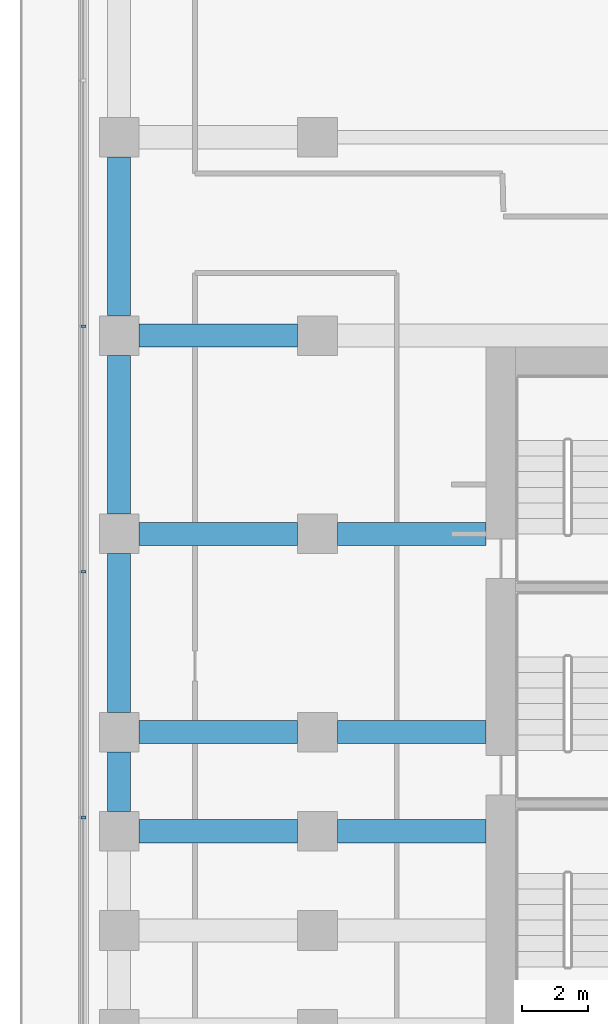
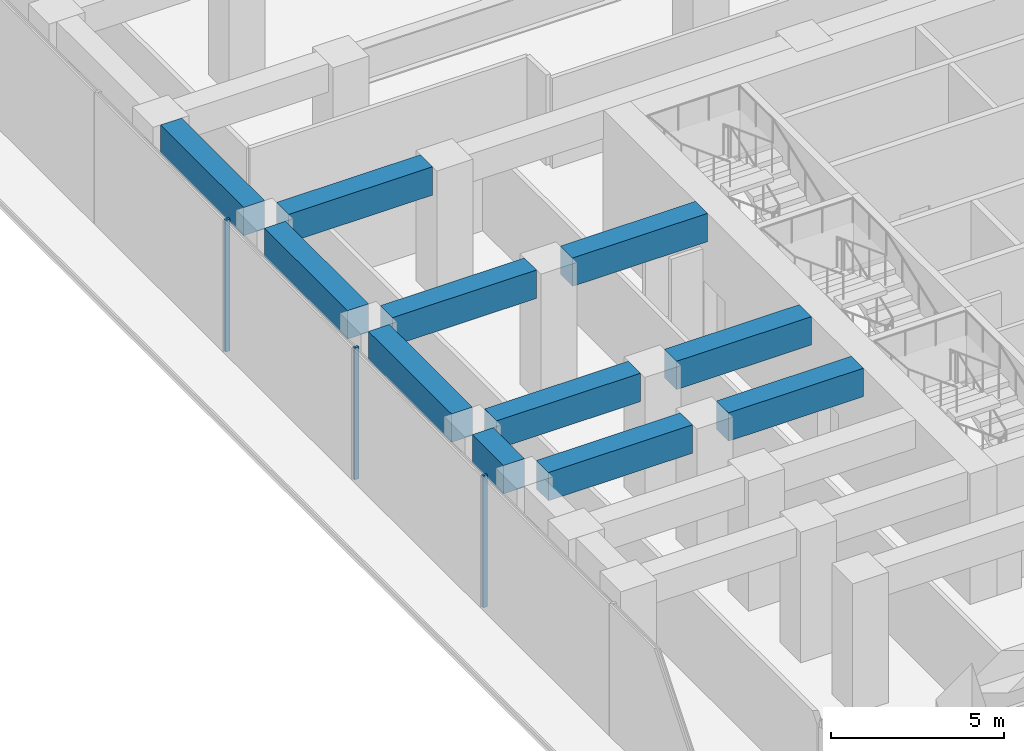
# One storey, part 7 of 40: 11 beams, 3 members, 1 element without a shape of its own.
"""IFC4 building model written with IfcOpenShell, lengths in metres."""

from ifc_helpers import new_model, si_unit, direction, frame, origin, origin_2d, place, context, subcontext, project, spatial, rectangle, extrude, material, layer, layer_set, material_profile, profile_set, type_object, element, aggregate, save


model = new_model("IFC4")

# Units and contexts
model_context = context("Model", 3, precision=1e-05, world=origin(), true_north=direction((0.0, 1.0)))
body_context = subcontext(model_context, "Body", "Model", "MODEL_VIEW")
ifc_project = project(units=[si_unit("LENGTHUNIT", "METRE"), si_unit("AREAUNIT", "SQUARE_METRE"), si_unit("VOLUMEUNIT", "CUBIC_METRE"), si_unit("PLANEANGLEUNIT", "RADIAN"), si_unit("MASSUNIT", "GRAM", prefix="KILO")], contexts=[model_context])

# Site, building, storey
site_placement = place(None, origin())
site = spatial("IfcSite", under=ifc_project, at=site_placement, CompositionType="ELEMENT")
building_placement = place(site_placement, origin())
building = spatial("IfcBuilding", under=site, at=building_placement, Name="Welwitschia Terrace Campus", CompositionType="ELEMENT")
storey_placement = place(building_placement, frame((0.0, 0.0, 6.0)))
storey = spatial("IfcBuildingStorey", under=building, at=storey_placement, Name="L01", CompositionType="ELEMENT", Elevation=6.0)

# Beams
ifc_material_1 = material(Name="Concrete C60/75", Category="concrete")
ifc_material_profile_1 = material_profile(ifc_material_1, rectangle(XDim=0.699951171875, YDim=1.0, at=origin_2d()))
ifc_profile_set_1 = profile_set([ifc_material_profile_1], Name="Concrete C60/75")
beam_type = type_object("IfcBeamType", Name="Base block beam 700x1000", PredefinedType="BEAM", material=ifc_profile_set_1)
beam_1_placement = place(storey_placement, frame((-5.3994140625, 11.0, 4.10009765625), z_axis=(1.0, 0.0, 0.0), x_axis=(0.0, 1.0, 0.0)))
element("IfcBeam", 1, at=beam_1_placement, inside=storey, type_object=beam_type, Name="Beam BB1", PredefinedType="BEAM", context=body_context, shape_type="SweptSolid", body=[
    extrude(rectangle(XDim=0.699951171875, YDim=1.0, at=origin_2d()), origin(), (0.0, 0.0, 1.0), 4.798828125),
])
beam_2_placement = place(storey_placement, frame((0.6005859375, 11.0, 4.10009765625), z_axis=(1.0, 0.0, 0.0), x_axis=(0.0, 1.0, 0.0)))
element("IfcBeam", 2, at=beam_2_placement, inside=storey, type_object=beam_type, Name="Beam BB1", PredefinedType="BEAM", context=body_context, shape_type="SweptSolid", body=[
    extrude(rectangle(XDim=0.699951171875, YDim=1.0, at=origin_2d()), origin(), (0.0, 0.0, 1.0), 4.49951171875),
])
beam_3_placement = place(storey_placement, frame((-5.3994140625, 14.0, 4.10009765625), z_axis=(1.0, 0.0, 0.0), x_axis=(0.0, 1.0, 0.0)))
element("IfcBeam", 3, at=beam_3_placement, inside=storey, type_object=beam_type, Name="Beam BB1", PredefinedType="BEAM", context=body_context, shape_type="SweptSolid", body=[
    extrude(rectangle(XDim=0.699951171875, YDim=1.0, at=origin_2d()), origin(), (0.0, 0.0, 1.0), 4.798828125),
])
beam_4_placement = place(storey_placement, frame((0.6005859375, 14.0, 4.10009765625), z_axis=(1.0, 0.0, 0.0), x_axis=(0.0, 1.0, 0.0)))
element("IfcBeam", 4, at=beam_4_placement, inside=storey, type_object=beam_type, Name="Beam BB1", PredefinedType="BEAM", context=body_context, shape_type="SweptSolid", body=[
    extrude(rectangle(XDim=0.699951171875, YDim=1.0, at=origin_2d()), origin(), (0.0, 0.0, 1.0), 4.49951171875),
])
beam_5_placement = place(storey_placement, frame((-5.3994140625, 20.0, 4.10009765625), z_axis=(1.0, 0.0, 0.0), x_axis=(0.0, 1.0, 0.0)))
element("IfcBeam", 5, at=beam_5_placement, inside=storey, type_object=beam_type, Name="Beam BB1", PredefinedType="BEAM", context=body_context, shape_type="SweptSolid", body=[
    extrude(rectangle(XDim=0.699951171875, YDim=1.0, at=origin_2d()), origin(), (0.0, 0.0, 1.0), 4.798828125),
])
beam_6_placement = place(storey_placement, frame((0.6005859375, 20.0, 4.10009765625), z_axis=(1.0, 0.0, 0.0), x_axis=(0.0, 1.0, 0.0)))
element("IfcBeam", 6, at=beam_6_placement, inside=storey, type_object=beam_type, Name="Beam BB1", PredefinedType="BEAM", context=body_context, shape_type="SweptSolid", body=[
    extrude(rectangle(XDim=0.699951171875, YDim=1.0, at=origin_2d()), origin(), (0.0, 0.0, 1.0), 4.49951171875),
])
beam_7_placement = place(storey_placement, frame((-5.3994140625, 26.0, 4.10009765625), z_axis=(1.0, 0.0, 0.0), x_axis=(0.0, 1.0, 0.0)))
element("IfcBeam", 7, at=beam_7_placement, inside=storey, type_object=beam_type, Name="Beam BB1", PredefinedType="BEAM", context=body_context, shape_type="SweptSolid", body=[
    extrude(rectangle(XDim=0.699951171875, YDim=1.0, at=origin_2d()), origin(), (0.0, 0.0, 1.0), 4.798828125),
])
beam_8_placement = place(storey_placement, frame((-6.0, 11.6005859375, 4.10009765625), z_axis=(0.0, 1.0, 0.0), x_axis=(-1.0, 0.0, 0.0)))
element("IfcBeam", 8, at=beam_8_placement, inside=storey, type_object=beam_type, Name="Beam BB1", PredefinedType="BEAM", context=body_context, shape_type="SweptSolid", body=[
    extrude(rectangle(XDim=0.699951171875, YDim=1.0, at=origin_2d()), origin(), (0.0, 0.0, 1.0), 1.798828125),
])
for number, where, z_axis, x_axis, name in (
    (9, (-6.0, 14.6005859375, 4.10009765625), (0.0, 1.0, 0.0), (-1.0, 0.0, 0.0), "Beam BB1"),
    (10, (-6.0, 20.6005859375, 4.10009765625), (0.0, 1.0, 0.0), (-1.0, 0.0, 0.0), "Beam BB1"),
    (11, (-6.0, 26.6005859375, 4.10009765625), (0.0, 1.0, 0.0), (-1.0, 0.0, 0.0), "Beam BB1"),
):
    element("IfcBeam", number, at=place(storey_placement, frame(where, z_axis=z_axis, x_axis=x_axis)), inside=storey, type_object=beam_type, Name=name, PredefinedType="BEAM", context=body_context, shape_type="SweptSolid", body=[
        extrude(rectangle(XDim=0.699951171875, YDim=1.0, at=origin_2d()), origin(), (0.0, 0.0, 1.0), 4.798828125),
    ])

# Curtain wall, members
ifc_material_2 = material(Name="Bronze anodised aluminium", Category="aluminium")
ifc_layer = layer(ifc_material_2, 0.14990234375)
ifc_layer_set = layer_set([ifc_layer], Name="Bronze anodised aluminium")
curtain_wall_type = type_object("IfcCurtainWallType", Name="Curtain wall CW1 podium 7500", PredefinedType="NOTDEFINED", material=ifc_layer_set)
curtain_wall_placement = place(storey_placement, origin())
curtain_wall = element("IfcCurtainWall", 12, at=curtain_wall_placement, inside=storey, type_object=curtain_wall_type, Name="CW L01.6.0", PredefinedType="NOTDEFINED")
ifc_material_3 = material(Name="Bronze anodised aluminium", Category="aluminium")
ifc_material_profile_2 = material_profile(ifc_material_3, rectangle(XDim=0.14990234375, YDim=0.080078125, at=origin_2d()))
ifc_profile_set_2 = profile_set([ifc_material_profile_2], Name="Bronze anodised aluminium")
member_type = type_object("IfcMemberType", Name="Mullion 80x150", PredefinedType="MULLION", material=ifc_profile_set_2)
member_1_placement = place(storey_placement, frame((-7.0849609375, 26.283447265625, 0.0), z_axis=(0.0, 0.0, 1.0), x_axis=(1.0, 0.0, 0.0)))
member_1 = element("IfcMember", 13, at=member_1_placement, type_object=member_type, Name="Mullion L01.6.0.5", PredefinedType="MULLION", context=body_context, shape_type="SweptSolid", body=[
    extrude(rectangle(XDim=0.14990234375, YDim=0.080078125, at=origin_2d()), origin(), (0.0, 0.0, 1.0), 4.64990234375),
])
member_2_placement = place(storey_placement, frame((-7.0849609375, 18.85009765625, 0.0), z_axis=(0.0, 0.0, 1.0), x_axis=(1.0, 0.0, 0.0)))
member_2 = element("IfcMember", 14, at=member_2_placement, type_object=member_type, Name="Mullion L01.6.0.6", PredefinedType="MULLION", context=body_context, shape_type="SweptSolid", body=[
    extrude(rectangle(XDim=0.14990234375, YDim=0.080078125, at=origin_2d()), origin(), (0.0, 0.0, 1.0), 4.64990234375),
])
member_3_placement = place(storey_placement, frame((-7.0849609375, 11.4169921875, 0.0), z_axis=(0.0, 0.0, 1.0), x_axis=(1.0, 0.0, 0.0)))
member_3 = element("IfcMember", 15, at=member_3_placement, type_object=member_type, Name="Mullion L01.6.0.7", PredefinedType="MULLION", context=body_context, shape_type="SweptSolid", body=[
    extrude(rectangle(XDim=0.14990234375, YDim=0.080078125, at=origin_2d()), origin(), (0.0, 0.0, 1.0), 4.64990234375),
])
aggregate(curtain_wall, [member_1, member_2, member_3])

save(model, "model.ifc")
